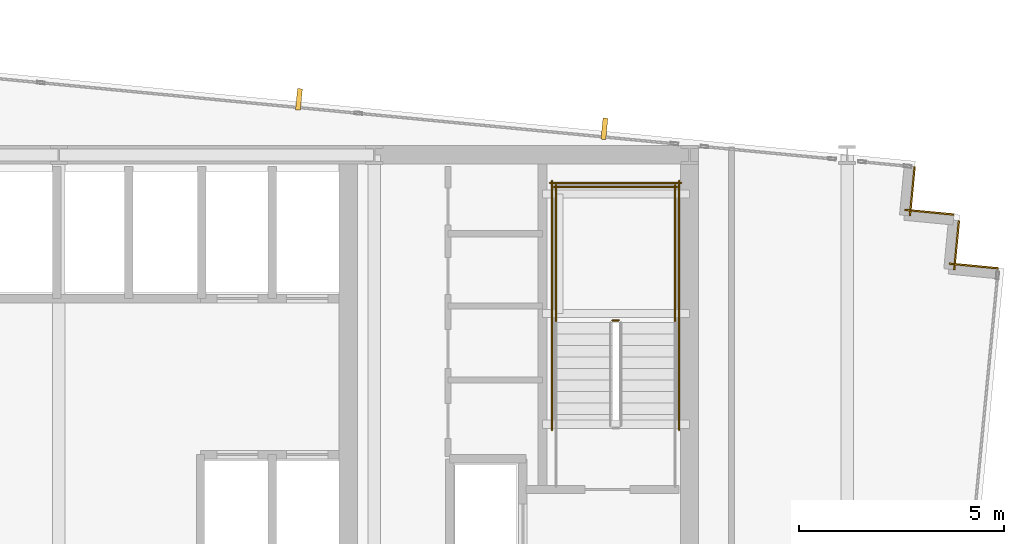
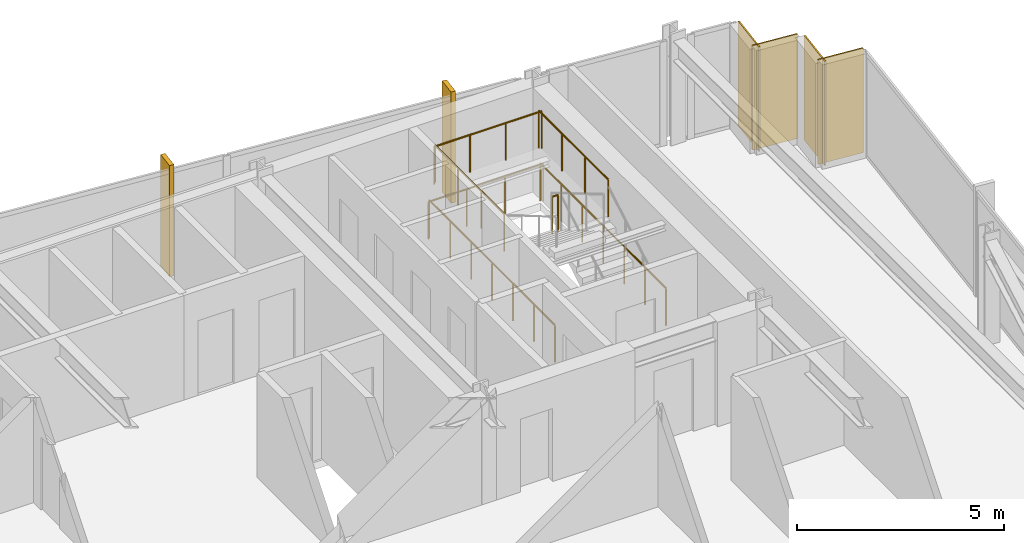
# One storey, part 37 of 37: 7 railings, 4 coverings, 2 shading devices.
"""IFC4 building model written with IfcOpenShell, lengths in metres."""

from ifc_helpers import new_model, si_unit, direction, frame, frame_2d, origin, origin_2d, place, context, subcontext, project, spatial, rectangle, circle, extrude, material, layer, layer_set, type_object, element, save


model = new_model("IFC4")

# Units and contexts
model_context = context("Model", 3, precision=1e-05, world=origin(), true_north=direction((0.0, 1.0)))
body_context = subcontext(model_context, "Body", "Model", "MODEL_VIEW")
ifc_project = project(units=[si_unit("LENGTHUNIT", "METRE"), si_unit("AREAUNIT", "SQUARE_METRE"), si_unit("VOLUMEUNIT", "CUBIC_METRE"), si_unit("PLANEANGLEUNIT", "RADIAN"), si_unit("MASSUNIT", "GRAM", prefix="KILO")], contexts=[model_context])

# Site, building, storey
site_placement = place(None, origin())
site = spatial("IfcSite", under=ifc_project, at=site_placement, CompositionType="ELEMENT")
building_placement = place(site_placement, origin())
building = spatial("IfcBuilding", under=site, at=building_placement, Name="Yelkora Congress Tower", CompositionType="ELEMENT")
storey_placement = place(building_placement, frame((0.0, 0.0, 158.89990234375)))
storey = spatial("IfcBuildingStorey", under=building, at=storey_placement, Name="L43", CompositionType="ELEMENT", Elevation=158.89990234375)

# Coverings
ifc_material_1 = material(Name="Anatolian bush-hammered limestone", Category="masonry")
ifc_layer_1 = layer(ifc_material_1, 0.0400390625)
ifc_layer_set_1 = layer_set([ifc_layer_1], Name="Anatolian bush-hammered limestone")
covering_type = type_object("IfcCoveringType", Name="COV-CLAD-SPANDREL-40", PredefinedType="CLADDING", material=ifc_layer_set_1)
covering_1_placement = place(storey_placement, frame((59.2431640625, 45.909912109375, 0.0), z_axis=(0.0, 0.0, 1.0), x_axis=(-0.095836473879, -0.995397091755, 0.0)))
element("IfcCovering", 1, at=covering_1_placement, inside=storey, type_object=covering_type, Name="L43 Anatolian Limestone Cladding EW-L43-SR11", PredefinedType="CLADDING", context=body_context, shape_type="SweptSolid", body=[
    extrude(rectangle(XDim=1.199951171875, YDim=0.0400390625, at=frame_2d((0.60009765625, 0.0))), origin(), (0.0, 0.0, 1.0), 3.080078125),
])
for number, where, z_axis, x_axis, name in (
    (2, (59.006591796875, 44.86279296875, 0.0), (0.0, 0.0, 1.0), (0.995398960025, -0.095817067274, 0.0), "L43 Anatolian Limestone Cladding EW-L43-SR12"),
    (3, (60.322509765625, 44.6005859375, 0.0), (0.0, 0.0, 1.0), (-0.095817067274, -0.995398960025, 0.0), "L43 Anatolian Limestone Cladding EW-L43-SR13"),
):
    element("IfcCovering", number, at=place(storey_placement, frame(where, z_axis=z_axis, x_axis=x_axis)), inside=storey, type_object=covering_type, Name=name, PredefinedType="CLADDING", context=body_context, shape_type="SweptSolid", body=[
        extrude(rectangle(XDim=1.2001953125, YDim=0.0400390625, at=frame_2d((0.60009765625, 0.0))), origin(), (0.0, 0.0, 1.0), 3.080078125),
    ])
covering_2_placement = place(storey_placement, frame((60.086181640625, 43.55322265625, 0.0), z_axis=(0.0, 0.0, 1.0), x_axis=(0.995397091755, -0.095836473879, 0.0)))
element("IfcCovering", 4, at=covering_2_placement, inside=storey, type_object=covering_type, Name="L43 Anatolian Limestone Cladding EW-L43-SR14", PredefinedType="CLADDING", context=body_context, shape_type="SweptSolid", body=[
    extrude(rectangle(XDim=1.199951171875, YDim=0.0400390625, at=frame_2d((0.60009765625, 0.0))), origin(), (0.0, 0.0, 1.0), 3.080078125),
])

# Railings
ifc_material_2 = material(Name="Painted galvanised steel stair well guard with vertical infill", Category="steel")
ifc_layer_2 = layer(ifc_material_2, 0.06005859375)
ifc_layer_set_2 = layer_set([ifc_layer_2], Name="Painted galvanised steel stair well guard with vertical infill")
railing_type = type_object("IfcRailingType", Name="RAIL-STAIR-GUARD-1120", PredefinedType="GUARDRAIL", material=ifc_layer_set_2)
railing_1_placement = place(storey_placement, frame((52.0400390625, 42.169921875, 1.650146484375)))
element("IfcRailing", 5, at=railing_1_placement, inside=storey, type_object=railing_type, Name="ST-02 L43 Stair Well Guardrail 2", PredefinedType="GUARDRAIL", context=body_context, shape_type="SweptSolid", body=[
    extrude(circle(Radius=0.02392578125, at=origin_2d()), frame((0.0, 0.0, 1.09619140625), z_axis=(-1.0, 0.0, 0.0), x_axis=(0.0, -1.0, 0.0)), (0.0, 0.0, 1.0), 0.16015625),
    extrude(circle(Radius=0.02099609375, at=origin_2d()), origin(), (0.0, 0.0, 1.0), 1.072021484375),
    extrude(circle(Radius=0.02099609375, at=origin_2d()), frame((-0.16015625, 0.0, 0.0)), (0.0, 0.0, 1.0), 1.072021484375),
])
for number, where, name in (
    (6, (53.409912109375, 42.1201171875, 1.650146484375), "ST-02 L43 Stair Well Guardrail 3"),
    (7, (50.510009765625, 42.1201171875, 1.650146484375), "ST-02 L43 Stair Well Guardrail 4"),
):
    element("IfcRailing", number, at=place(storey_placement, frame(where)), inside=storey, type_object=railing_type, Name=name, PredefinedType="GUARDRAIL", context=body_context, shape_type="SweptSolid", body=[
        extrude(circle(Radius=0.02392578125, at=origin_2d()), frame((0.0, 0.0, 1.09619140625), z_axis=(0.0, 1.0, 0.0), x_axis=(-1.0, 0.0, 0.0)), (0.0, 0.0, 1.0), 3.349853515625),
        extrude(circle(Radius=0.02099609375, at=origin_2d()), origin(), (0.0, 0.0, 1.0), 1.072021484375),
        extrude(circle(Radius=0.02099609375, at=origin_2d()), frame((0.0, 1.11669921875, 0.0)), (0.0, 0.0, 1.0), 1.072021484375),
        extrude(circle(Radius=0.02099609375, at=origin_2d()), frame((0.0, 2.233154296875, 0.0)), (0.0, 0.0, 1.0), 1.072021484375),
        extrude(circle(Radius=0.02099609375, at=origin_2d()), frame((0.0, 3.349853515625, 0.0)), (0.0, 0.0, 1.0), 1.072021484375),
    ])
railing_2_placement = place(storey_placement, frame((53.4599609375, 45.419921875, 1.650146484375)))
element("IfcRailing", 8, at=railing_2_placement, inside=storey, type_object=railing_type, Name="ST-02 L43 Stair Well Guardrail 5", PredefinedType="GUARDRAIL", context=body_context, shape_type="SweptSolid", body=[
    extrude(circle(Radius=0.02392578125, at=origin_2d()), frame((0.0, 0.0, 1.09619140625), z_axis=(-1.0, 0.0, 0.0), x_axis=(0.0, -1.0, 0.0)), (0.0, 0.0, 1.0), 3.0),
    extrude(circle(Radius=0.02099609375, at=origin_2d()), origin(), (0.0, 0.0, 1.0), 1.072021484375),
    extrude(circle(Radius=0.02099609375, at=origin_2d()), frame((-1.0, 0.0, 0.0)), (0.0, 0.0, 1.0), 1.072021484375),
    extrude(circle(Radius=0.02099609375, at=origin_2d()), frame((-2.0, 0.0, 0.0)), (0.0, 0.0, 1.0), 1.072021484375),
    extrude(circle(Radius=0.02099609375, at=origin_2d()), frame((-3.0, 0.0, 0.0)), (0.0, 0.0, 1.0), 1.072021484375),
])
for number, where, name in (
    (9, (53.510009765625, 39.5, 0.0), "ST-02 L43 Stair Well Guardrail 10"),
    (10, (50.409912109375, 39.5, 0.0), "ST-02 L43 Stair Well Guardrail 11"),
):
    element("IfcRailing", number, at=place(storey_placement, frame(where)), inside=storey, type_object=railing_type, Name=name, PredefinedType="GUARDRAIL", context=body_context, shape_type="SweptSolid", body=[
        extrude(circle(Radius=0.02392578125, at=origin_2d()), frame((0.0, 0.0, 1.09619140625), z_axis=(0.0, 1.0, 0.0), x_axis=(-1.0, 0.0, 0.0)), (0.0, 0.0, 1.0), 6.070068359375),
        extrude(circle(Radius=0.02099609375, at=origin_2d()), origin(), (0.0, 0.0, 1.0), 1.072021484375),
        extrude(circle(Radius=0.02099609375, at=origin_2d()), frame((0.0, 1.01171875, 0.0)), (0.0, 0.0, 1.0), 1.072021484375),
        extrude(circle(Radius=0.02099609375, at=origin_2d()), frame((0.0, 2.0234375, 0.0)), (0.0, 0.0, 1.0), 1.072021484375),
        extrude(circle(Radius=0.02099609375, at=origin_2d()), frame((0.0, 3.03515625, 0.0)), (0.0, 0.0, 1.0), 1.072021484375),
        extrude(circle(Radius=0.02099609375, at=origin_2d()), frame((0.0, 4.046630859375, 0.0)), (0.0, 0.0, 1.0), 1.072021484375),
        extrude(circle(Radius=0.02099609375, at=origin_2d()), frame((0.0, 5.058349609375, 0.0)), (0.0, 0.0, 1.0), 1.072021484375),
        extrude(circle(Radius=0.02099609375, at=origin_2d()), frame((0.0, 6.070068359375, 0.0)), (0.0, 0.0, 1.0), 1.072021484375),
    ])
railing_3_placement = place(storey_placement, frame((53.56005859375, 45.52001953125, 0.0)))
element("IfcRailing", 11, at=railing_3_placement, inside=storey, type_object=railing_type, Name="ST-02 L43 Stair Well Guardrail 12", PredefinedType="GUARDRAIL", context=body_context, shape_type="SweptSolid", body=[
    extrude(circle(Radius=0.02392578125, at=origin_2d()), frame((0.0, 0.0, 1.09619140625), z_axis=(-1.0, 0.0, 0.0), x_axis=(0.0, -1.0, 0.0)), (0.0, 0.0, 1.0), 3.199951171875),
    extrude(circle(Radius=0.02099609375, at=origin_2d()), origin(), (0.0, 0.0, 1.0), 1.072021484375),
    extrude(circle(Radius=0.02099609375, at=origin_2d()), frame((-1.066650390625, 0.0, 0.0)), (0.0, 0.0, 1.0), 1.072021484375),
    extrude(circle(Radius=0.02099609375, at=origin_2d()), frame((-2.13330078125, 0.0, 0.0)), (0.0, 0.0, 1.0), 1.072021484375),
    extrude(circle(Radius=0.02099609375, at=origin_2d()), frame((-3.199951171875, 0.0, 0.0)), (0.0, 0.0, 1.0), 1.072021484375),
])

# Shading devices
ifc_material_3 = material(Name="Champagne anodised aluminium", Category="aluminium")
ifc_layer_3 = layer(ifc_material_3, 3.300048828125)
ifc_layer_set_3 = layer_set([ifc_layer_3], Name="Champagne anodised aluminium")
shading_device_type = type_object("IfcShadingDeviceType", Name="SHD-FIN-ALU-520", PredefinedType="USERDEFINED", material=ifc_layer_set_3)
for number, where, z_axis, x_axis, name in (
    (12, (44.248291015625, 47.5546875, -0.02978515625), (0.0, 0.0, 1.0), (0.995396198367, -0.09584575252, 0.0), "L43 Vertical Anodised Solar Fin 10-5"),
    (13, (51.68798828125, 46.83837890625, -0.02978515625), (0.0, 0.0, 1.0), (0.995396198367, -0.09584575252, 0.0), "L43 Vertical Anodised Solar Fin 10-6"),
):
    element("IfcShadingDevice", number, at=place(storey_placement, frame(where, z_axis=z_axis, x_axis=x_axis)), inside=storey, type_object=shading_device_type, Name=name, ObjectType="FIN", PredefinedType="USERDEFINED", context=body_context, shape_type="SweptSolid", body=[
        extrude(rectangle(XDim=0.1201171875, YDim=0.52001953125, at=origin_2d()), origin(), (0.0, 0.0, 1.0), 3.280029296875),
    ])

save(model, "model.ifc")
